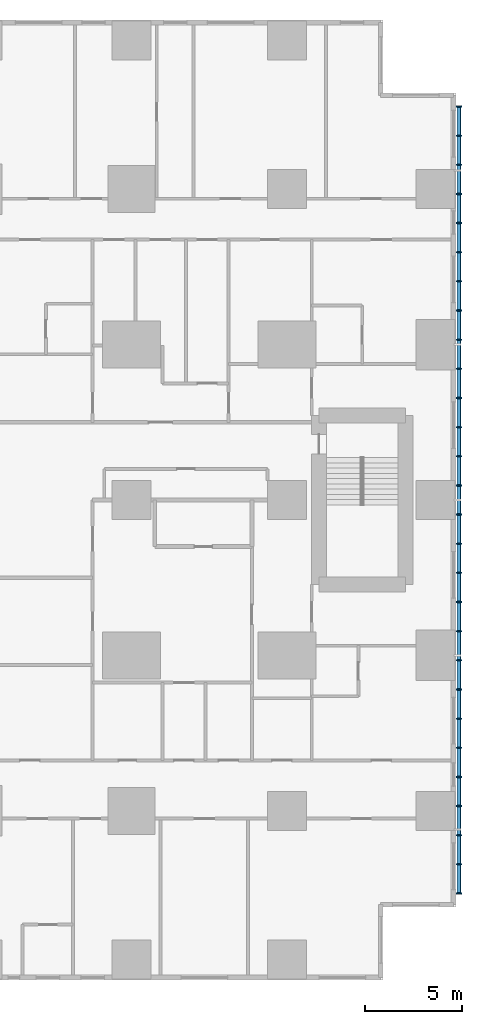
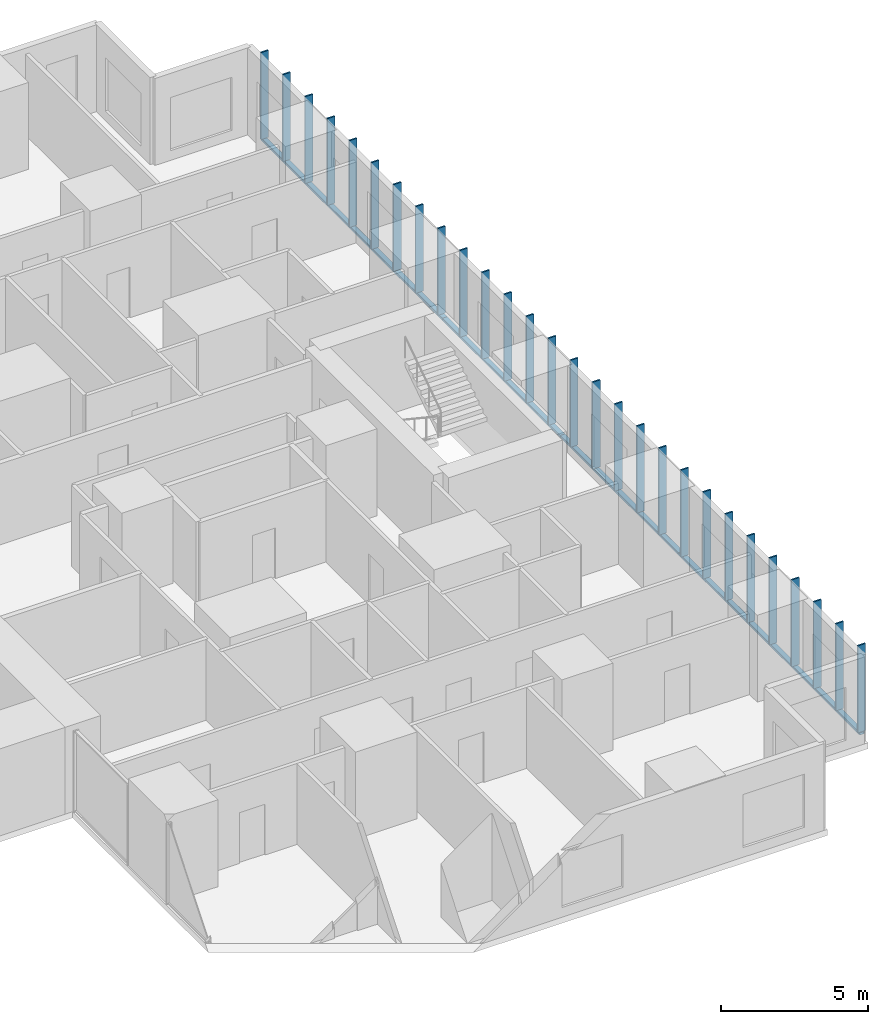
# One storey, part 6 of 20: 32 members.
"""IFC4 building model written with IfcOpenShell, lengths in metres."""

from ifc_helpers import new_model, si_unit, direction, frame, origin, origin_2d, place, context, subcontext, project, spatial, rectangle, hollow_rectangle, extrude, material, material_profile, profile_set, type_object, element, save


model = new_model("IFC4")

# Units and contexts
model_context = context("Model", 3, precision=1e-05, world=origin(), true_north=direction((0.0, 1.0)))
body_context = subcontext(model_context, "Body", "Model", "MODEL_VIEW")
ifc_project = project(units=[si_unit("LENGTHUNIT", "METRE"), si_unit("AREAUNIT", "SQUARE_METRE"), si_unit("VOLUMEUNIT", "CUBIC_METRE"), si_unit("PLANEANGLEUNIT", "RADIAN"), si_unit("MASSUNIT", "GRAM", prefix="KILO")], contexts=[model_context])

# Site, building, storey
site_placement = place(None, origin())
site = spatial("IfcSite", under=ifc_project, at=site_placement, CompositionType="ELEMENT")
building_placement = place(site_placement, origin())
building = spatial("IfcBuilding", under=site, at=building_placement, Name="Cleftline Residences", CompositionType="ELEMENT")
storey_placement = place(building_placement, frame((0.0, 0.0, 96.199951171875)))
storey = spatial("IfcBuildingStorey", under=building, at=storey_placement, Name="L24", CompositionType="ELEMENT", Elevation=96.199951171875)

# Members
ifc_material_1 = material(Name="Steel S355, hot-dip galvanised", Category="steel")
ifc_material_profile_1 = material_profile(ifc_material_1, hollow_rectangle(XDim=0.10009765625, YDim=0.199951171875, WallThickness=0.008056640625, InnerFilletRadius=0.008056640625, OuterFilletRadius=0.011962890625, at=origin_2d()))
ifc_profile_set_1 = profile_set([ifc_material_profile_1], Name="Steel S355, hot-dip galvanised")
member_type_1 = type_object("IfcMemberType", Name="BAGUETTE CARRIER RHS 200X100X8", PredefinedType="USERDEFINED", material=ifc_profile_set_1)
member_1_placement = place(storey_placement, frame((66.85009765625, 3.699951171875, -0.050048828125), z_axis=(0.0, 1.0, 0.0), x_axis=(0.0, 0.0, 1.0)))
element("IfcMember", 1, at=member_1_placement, inside=storey, type_object=member_type_1, Name="Baguette carrier", ObjectType="BAGUETTE CARRIER", PredefinedType="USERDEFINED", context=body_context, shape_type="SweptSolid", body=[
    extrude(hollow_rectangle(XDim=0.10009765625, YDim=0.199951171875, WallThickness=0.008056640625, InnerFilletRadius=0.008056640625, OuterFilletRadius=0.011962890625, at=origin_2d()), origin(), (0.0, 0.0, 1.0), 12.300048828125),
])
for number, where, z_axis, x_axis, name in (
    (2, (66.85009765625, 16.0, -0.050048828125), (0.0, 1.0, 0.0), (0.0, 0.0, 1.0), "Baguette carrier"),
    (3, (66.85009765625, 24.0, -0.050048828125), (0.0, 1.0, 0.0), (0.0, 0.0, 1.0), "Baguette carrier"),
):
    element("IfcMember", number, at=place(storey_placement, frame(where, z_axis=z_axis, x_axis=x_axis)), inside=storey, type_object=member_type_1, Name=name, ObjectType="BAGUETTE CARRIER", PredefinedType="USERDEFINED", context=body_context, shape_type="SweptSolid", body=[
        extrude(hollow_rectangle(XDim=0.10009765625, YDim=0.199951171875, WallThickness=0.008056640625, InnerFilletRadius=0.008056640625, OuterFilletRadius=0.011962890625, at=origin_2d()), origin(), (0.0, 0.0, 1.0), 8.0),
    ])
member_2_placement = place(storey_placement, frame((66.85009765625, 32.0, -0.050048828125), z_axis=(0.0, 1.0, 0.0), x_axis=(0.0, 0.0, 1.0)))
element("IfcMember", 4, at=member_2_placement, inside=storey, type_object=member_type_1, Name="Baguette carrier", ObjectType="BAGUETTE CARRIER", PredefinedType="USERDEFINED", context=body_context, shape_type="SweptSolid", body=[
    extrude(hollow_rectangle(XDim=0.10009765625, YDim=0.199951171875, WallThickness=0.008056640625, InnerFilletRadius=0.008056640625, OuterFilletRadius=0.011962890625, at=origin_2d()), origin(), (0.0, 0.0, 1.0), 12.300048828125),
])
ifc_material_2 = material(Name="Extruded terracotta", Category="masonry")
ifc_material_profile_2 = material_profile(ifc_material_2, rectangle(XDim=0.06005859375, YDim=0.300048828125, at=origin_2d()))
ifc_profile_set_2 = profile_set([ifc_material_profile_2], Name="Extruded terracotta")
member_type_2 = type_object("IfcMemberType", Name="TERRACOTTA BAGUETTE 60X300", PredefinedType="USERDEFINED", material=ifc_profile_set_2)
for number, where, z_axis, x_axis, name in (
    (5, (66.85009765625, 3.75, 0.0), (0.0, 0.0, 1.0), (0.0, 1.0, 0.0), "Terracotta baguette"),
    (6, (66.85009765625, 5.25, 0.0), (0.0, 0.0, 1.0), (0.0, 1.0, 0.0), "Terracotta baguette"),
    (7, (66.85009765625, 6.75, 0.0), (0.0, 0.0, 1.0), (0.0, 1.0, 0.0), "Terracotta baguette"),
    (8, (66.85009765625, 8.25, 0.0), (0.0, 0.0, 1.0), (0.0, 1.0, 0.0), "Terracotta baguette"),
    (9, (66.85009765625, 9.75, 0.0), (0.0, 0.0, 1.0), (0.0, 1.0, 0.0), "Terracotta baguette"),
    (10, (66.85009765625, 11.25, 0.0), (0.0, 0.0, 1.0), (0.0, 1.0, 0.0), "Terracotta baguette"),
    (11, (66.85009765625, 12.75, 0.0), (0.0, 0.0, 1.0), (0.0, 1.0, 0.0), "Terracotta baguette"),
    (12, (66.85009765625, 14.25, 0.0), (0.0, 0.0, 1.0), (0.0, 1.0, 0.0), "Terracotta baguette"),
    (13, (66.85009765625, 15.75, 0.0), (0.0, 0.0, 1.0), (0.0, 1.0, 0.0), "Terracotta baguette"),
    (14, (66.85009765625, 17.25, 0.0), (0.0, 0.0, 1.0), (0.0, 1.0, 0.0), "Terracotta baguette"),
    (15, (66.85009765625, 18.75, 0.0), (0.0, 0.0, 1.0), (0.0, 1.0, 0.0), "Terracotta baguette"),
    (16, (66.85009765625, 20.25, 0.0), (0.0, 0.0, 1.0), (0.0, 1.0, 0.0), "Terracotta baguette"),
    (17, (66.85009765625, 21.75, 0.0), (0.0, 0.0, 1.0), (0.0, 1.0, 0.0), "Terracotta baguette"),
    (18, (66.85009765625, 23.25, 0.0), (0.0, 0.0, 1.0), (0.0, 1.0, 0.0), "Terracotta baguette"),
    (19, (66.85009765625, 24.75, 0.0), (0.0, 0.0, 1.0), (0.0, 1.0, 0.0), "Terracotta baguette"),
    (20, (66.85009765625, 26.25, 0.0), (0.0, 0.0, 1.0), (0.0, 1.0, 0.0), "Terracotta baguette"),
    (21, (66.85009765625, 27.75, 0.0), (0.0, 0.0, 1.0), (0.0, 1.0, 0.0), "Terracotta baguette"),
    (22, (66.85009765625, 29.25, 0.0), (0.0, 0.0, 1.0), (0.0, 1.0, 0.0), "Terracotta baguette"),
    (23, (66.85009765625, 30.75, 0.0), (0.0, 0.0, 1.0), (0.0, 1.0, 0.0), "Terracotta baguette"),
    (24, (66.85009765625, 32.25, 0.0), (0.0, 0.0, 1.0), (0.0, 1.0, 0.0), "Terracotta baguette"),
    (25, (66.85009765625, 33.75, 0.0), (0.0, 0.0, 1.0), (0.0, 1.0, 0.0), "Terracotta baguette"),
    (26, (66.85009765625, 35.25, 0.0), (0.0, 0.0, 1.0), (0.0, 1.0, 0.0), "Terracotta baguette"),
    (27, (66.85009765625, 36.75, 0.0), (0.0, 0.0, 1.0), (0.0, 1.0, 0.0), "Terracotta baguette"),
    (28, (66.85009765625, 38.25, 0.0), (0.0, 0.0, 1.0), (0.0, 1.0, 0.0), "Terracotta baguette"),
    (29, (66.85009765625, 39.75, 0.0), (0.0, 0.0, 1.0), (0.0, 1.0, 0.0), "Terracotta baguette"),
    (30, (66.85009765625, 41.25, 0.0), (0.0, 0.0, 1.0), (0.0, 1.0, 0.0), "Terracotta baguette"),
    (31, (66.85009765625, 42.75, 0.0), (0.0, 0.0, 1.0), (0.0, 1.0, 0.0), "Terracotta baguette"),
    (32, (66.85009765625, 44.25, 0.0), (0.0, 0.0, 1.0), (0.0, 1.0, 0.0), "Terracotta baguette"),
):
    element("IfcMember", number, at=place(storey_placement, frame(where, z_axis=z_axis, x_axis=x_axis)), inside=storey, type_object=member_type_2, Name=name, ObjectType="BAGUETTE", PredefinedType="USERDEFINED", context=body_context, shape_type="SweptSolid", body=[
        extrude(rectangle(XDim=0.06005859375, YDim=0.300048828125, at=origin_2d()), origin(), (0.0, 0.0, 1.0), 3.60009765625),
    ])

save(model, "model.ifc")
